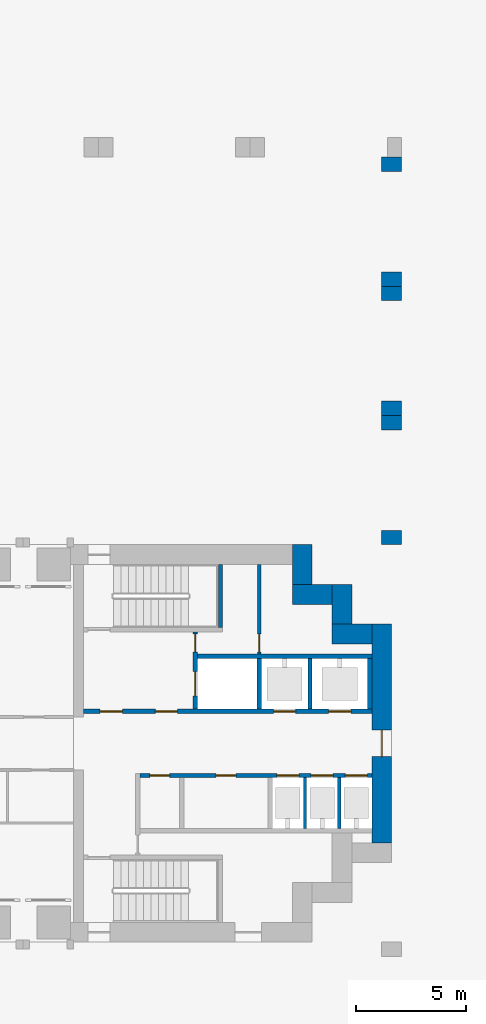
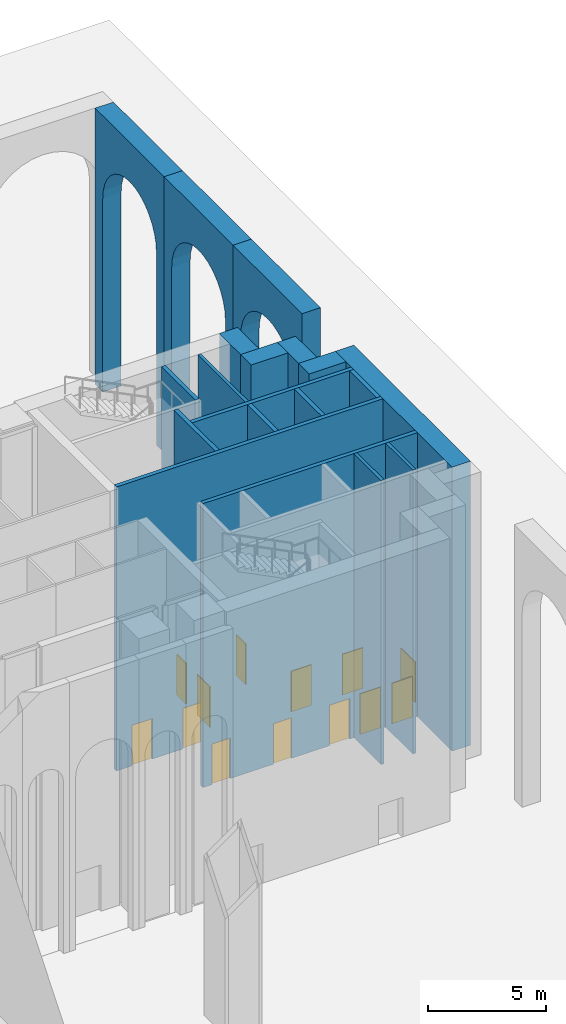
# One storey, part 9 of 18: 19 walls, 13 doors, 13 openings.
"""IFC4 building model written with IfcOpenShell, lengths in metres."""

from ifc_helpers import new_model, si_unit, direction, frame, frame_2d, origin, place, context, subcontext, project, spatial, polyline, rectangle, outline, extrude, material, layer, layer_set, type_object, element, fill, save


model = new_model("IFC4")

# Units and contexts
model_context = context("Model", 3, precision=1e-05, world=origin(), true_north=direction((0.0, 1.0)))
body_context = subcontext(model_context, "Body", "Model", "MODEL_VIEW")
ifc_project = project(units=[si_unit("LENGTHUNIT", "METRE"), si_unit("AREAUNIT", "SQUARE_METRE"), si_unit("VOLUMEUNIT", "CUBIC_METRE"), si_unit("PLANEANGLEUNIT", "RADIAN"), si_unit("MASSUNIT", "GRAM", prefix="KILO")], contexts=[model_context])

# Site, building, storey
site_placement = place(None, origin())
site = spatial("IfcSite", under=ifc_project, at=site_placement, CompositionType="ELEMENT")
building_placement = place(site_placement, origin())
building = spatial("IfcBuilding", under=site, at=building_placement, Name="Perihelion Cross Residences", CompositionType="ELEMENT")
storey_placement = place(building_placement, origin())
storey = spatial("IfcBuildingStorey", under=building, at=storey_placement, Name="L00", CompositionType="ELEMENT", Elevation=0.0)

# Wall, opening, door
ifc_material_1 = material(Name="Concrete C60/75", Category="concrete")
ifc_layer_1 = layer(ifc_material_1, 0.89990234375)
ifc_layer_set_1 = layer_set([ifc_layer_1], Name="Core wall, outer 900")
wall_type_1 = type_object("IfcWallType", Name="Core wall, outer 900", PredefinedType="SHEAR", material=ifc_layer_set_1)
wall_1_placement = place(storey_placement, frame((35.550048828125, -4.5, 0.0), z_axis=(0.0, 0.0, 1.0), x_axis=(0.0, 1.0, 0.0)))
wall_1 = element("IfcWall", 1, at=wall_1_placement, inside=storey, type_object=wall_type_1, Name="East core core wall, outer", PredefinedType="SHEAR", context=body_context, shape_type="SweptSolid", body=[
    extrude(rectangle(XDim=9.89990234375, YDim=0.89990234375, at=frame_2d((4.949951171875, 0.0))), origin(), (0.0, 0.0, 1.0), 14.699951171875),
])
opening_1_placement = place(wall_1_placement, frame((3.89990234375, 0.0, 0.0)))
opening_1 = element("IfcOpeningElement", 2, at=opening_1_placement, cuts=wall_1, Name="Opening L00.C19", PredefinedType="OPENING", context=body_context, shape_type="SweptSolid", body=[
    extrude(rectangle(XDim=1.199951171875, YDim=2.10009765625, at=frame_2d((0.60009765625, 1.050048828125))), frame((0.0, 0.4599609375, 0.0), z_axis=(0.0, -1.0, 0.0), x_axis=(1.0, 0.0, 0.0)), (0.0, 0.0, 1.0), 0.919921875),
])
ifc_material_2 = material(Name="Steel, powder coated", Category="steel")
door_type_1 = type_object("IfcDoorType", Name="Fire command room door 1200", OperationType="DOUBLE_DOOR_SINGLE_SWING", PredefinedType="DOOR", material=ifc_material_2)
door_1_placement = place(opening_1_placement, origin())
door_1 = element("IfcDoor", 3, at=door_1_placement, inside=storey, type_object=door_type_1, Name="East core loading bay door", OperationType="DOUBLE_DOOR_SINGLE_SWING", OverallHeight=2.10009765625, OverallWidth=1.199951171875, PredefinedType="DOOR", context=body_context, shape_type="SweptSolid", body=[
    extrude(rectangle(XDim=1.199951171875, YDim=2.10009765625, at=frame_2d((0.60009765625, 1.050048828125))), frame((0.0, 0.02490234375, 0.0), z_axis=(0.0, -1.0, 0.0), x_axis=(1.0, 0.0, 0.0)), (0.0, 0.0, 1.0), 0.050048828125),
])
fill(opening_1, door_1)

# Walls
for number, where, z_axis, x_axis, name in (
    (4, (33.300048828125, 4.949951171875, 0.0), (0.0, 0.0, 1.0), (1.0, 0.0, 0.0), "East core core wall, outer"),
    (5, (33.75, 5.39990234375, 0.0), (0.0, 0.0, 1.0), (0.0, 1.0, 0.0), "East core core wall, outer"),
    (6, (31.5, 6.75, 0.0), (0.0, 0.0, 1.0), (1.0, 0.0, 0.0), "East core core wall, outer"),
    (7, (31.949951171875, 7.199951171875, 0.0), (0.0, 0.0, 1.0), (0.0, 1.0, 0.0), "East core core wall, outer"),
):
    element("IfcWall", number, at=place(storey_placement, frame(where, z_axis=z_axis, x_axis=x_axis)), inside=storey, type_object=wall_type_1, Name=name, PredefinedType="SHEAR", context=body_context, shape_type="SweptSolid", body=[
        extrude(rectangle(XDim=1.800048828125, YDim=0.89990234375, at=frame_2d((0.89990234375, 0.0))), origin(), (0.0, 0.0, 1.0), 14.699951171875),
    ])
ifc_material_3 = material(Name="Concrete C50/60", Category="concrete")
ifc_layer_2 = layer(ifc_material_3, 0.89990234375)
ifc_layer_set_2 = layer_set([ifc_layer_2], Name="Loggia arcade wall 900, arched bay")
wall_type_2 = type_object("IfcWallType", Name="Loggia arcade wall 900, arched bay", PredefinedType="SOLIDWALL", material=ifc_layer_set_2)
for number, where, z_axis, x_axis, name in (
    (8, (35.550048828125, 9.0, 0.0), (1.0, 0.0, 0.0), (0.0, 1.0, 0.0), "Wall AR3 L00 loggia north-east east-west bay 1"),
    (9, (35.550048828125, 14.85009765625, 0.0), (1.0, 0.0, 0.0), (0.0, 1.0, 0.0), "Wall AR3 L00 loggia north-east east-west bay 2"),
    (10, (35.550048828125, 20.699951171875, 0.0), (1.0, 0.0, 0.0), (0.0, 1.0, 0.0), "Wall AR3 L00 loggia north-east east-west bay 3"),
):
    element("IfcWall", number, at=place(storey_placement, frame(where, z_axis=z_axis, x_axis=x_axis)), inside=storey, type_object=wall_type_2, Name=name, PredefinedType="SOLIDWALL", context=body_context, shape_type="SweptSolid", body=[
        extrude(outline(polyline([(0.0, 0.0), (0.64990234375, 0.0), (0.64990234375, 10.0), (0.693603515625, 10.44384765625), (0.8232421875, 10.87060546875), (1.033447265625, 11.263916015625), (1.31640625, 11.608642578125), (1.6611328125, 11.8916015625), (2.054443359375, 12.101806640625), (2.481201171875, 12.231201171875), (2.925048828125, 12.27490234375), (3.368896484375, 12.231201171875), (3.795654296875, 12.101806640625), (4.18896484375, 11.8916015625), (4.53369140625, 11.608642578125), (4.816650390625, 11.263916015625), (5.02685546875, 10.87060546875), (5.15625, 10.44384765625), (5.199951171875, 10.0), (5.199951171875, 0.0), (5.85009765625, 0.0), (5.85009765625, 14.300048828125), (0.0, 14.300048828125), (0.0, 0.0)])), origin(), (0.0, 0.0, 1.0), 0.89990234375),
    ])

# Wall, opening, door
ifc_material_4 = material(Name="Fire-rated board on steel stud", Category="steel")
ifc_layer_3 = layer(ifc_material_4, 0.14990234375)
ifc_layer_set_3 = layer_set([ifc_layer_3], Name="Riser wall 150")
wall_type_3 = type_object("IfcWallType", Name="Riser wall 150", PredefinedType="PARTITIONING", material=ifc_layer_set_3)
wall_2_placement = place(storey_placement, frame((30.0, 4.050048828125, 0.0), z_axis=(0.0, 0.0, 1.0), x_axis=(0.0, 1.0, 0.0)))
wall_2 = element("IfcWall", 11, at=wall_2_placement, inside=storey, type_object=wall_type_3, Name="East core riser wall", PredefinedType="PARTITIONING", context=body_context, shape_type="SweptSolid", body=[
    extrude(rectangle(XDim=4.050048828125, YDim=0.14990234375, at=frame_2d((2.02490234375, 0.0))), origin(), (0.0, 0.0, 1.0), 14.699951171875),
])
opening_2_placement = place(wall_2_placement, frame((0.10009765625, 0.0, 0.0)))
opening_2 = element("IfcOpeningElement", 12, at=opening_2_placement, cuts=wall_2, Name="Opening L00.C18", PredefinedType="OPENING", context=body_context, shape_type="SweptSolid", body=[
    extrude(rectangle(XDim=0.800048828125, YDim=2.10009765625, at=frame_2d((0.39990234375, 1.050048828125))), frame((0.0, 0.0849609375, 0.0), z_axis=(0.0, -1.0, 0.0), x_axis=(1.0, 0.0, 0.0)), (0.0, 0.0, 1.0), 0.169921875),
])
ifc_material_5 = material(Name="Steel, powder coated", Category="steel")
door_type_2 = type_object("IfcDoorType", Name="Riser door 800", OperationType="SINGLE_SWING_LEFT", PredefinedType="DOOR", material=ifc_material_5)
door_2_placement = place(opening_2_placement, origin())
door_2 = element("IfcDoor", 13, at=door_2_placement, inside=storey, type_object=door_type_2, Name="East core riser door", OperationType="SINGLE_SWING_LEFT", OverallHeight=2.10009765625, OverallWidth=0.800048828125, PredefinedType="DOOR", context=body_context, shape_type="SweptSolid", body=[
    extrude(rectangle(XDim=0.800048828125, YDim=2.10009765625, at=frame_2d((0.39990234375, 1.050048828125))), frame((0.0, 0.02490234375, 0.0), z_axis=(0.0, -1.0, 0.0), x_axis=(1.0, 0.0, 0.0)), (0.0, 0.0, 1.0), 0.050048828125),
])
fill(opening_2, door_2)

# Walls
ifc_material_6 = material(Name="Concrete C50/60", Category="concrete")
ifc_layer_4 = layer(ifc_material_6, 0.14990234375)
ifc_layer_set_4 = layer_set([ifc_layer_4], Name="Shaft wall 150")
wall_type_4 = type_object("IfcWallType", Name="Shaft wall 150", PredefinedType="SOLIDWALL", material=ifc_layer_set_4)
for number, where, z_axis, x_axis, name in (
    (14, (32.074951171875, -3.85009765625, 0.0), (0.0, 0.0, 1.0), (0.0, 1.0, 0.0), "East core shaft wall"),
    (15, (33.625, -3.85009765625, 0.0), (0.0, 0.0, 1.0), (0.0, 1.0, 0.0), "East core shaft wall"),
):
    element("IfcWall", number, at=place(storey_placement, frame(where, z_axis=z_axis, x_axis=x_axis)), inside=storey, type_object=wall_type_4, Name=name, PredefinedType="SOLIDWALL", context=body_context, shape_type="SweptSolid", body=[
        extrude(rectangle(XDim=2.300048828125, YDim=0.14990234375, at=frame_2d((1.14990234375, 0.0))), origin(), (0.0, 0.0, 1.0), 14.699951171875),
    ])

# Wall, openings, doors
ifc_material_7 = material(Name="Concrete C50/60", Category="concrete")
ifc_layer_5 = layer(ifc_material_7, 0.199951171875)
ifc_layer_set_5 = layer_set([ifc_layer_5], Name="Shaft wall 200")
wall_type_5 = type_object("IfcWallType", Name="Shaft wall 200", PredefinedType="SOLIDWALL", material=ifc_layer_set_5)
wall_3_placement = place(storey_placement, frame((22.050048828125, 1.449951171875, 0.0), z_axis=(0.0, 0.0, 1.0), x_axis=(1.0, 0.0, 0.0)))
wall_3 = element("IfcWall", 16, at=wall_3_placement, inside=storey, type_object=wall_type_5, Name="East core shaft wall", PredefinedType="SOLIDWALL", context=body_context, shape_type="SweptSolid", body=[
    extrude(rectangle(XDim=13.050048828125, YDim=0.199951171875, at=frame_2d((6.52490234375, 0.0))), origin(), (0.0, 0.0, 1.0), 14.699951171875),
])
opening_3_placement = place(wall_3_placement, frame((8.60009765625, 0.0, 0.0)))
opening_3 = element("IfcOpeningElement", 17, at=opening_3_placement, cuts=wall_3, Name="Opening L00.C02", PredefinedType="OPENING", context=body_context, shape_type="SweptSolid", body=[
    extrude(rectangle(XDim=1.0, YDim=2.10009765625, at=frame_2d((0.5, 1.050048828125))), frame((0.0, 0.10986328125, 0.0), z_axis=(0.0, -1.0, 0.0), x_axis=(1.0, 0.0, 0.0)), (0.0, 0.0, 1.0), 0.219970703125),
])
opening_4_placement = place(wall_3_placement, frame((11.10009765625, 0.0, 0.0)))
opening_4 = element("IfcOpeningElement", 18, at=opening_4_placement, cuts=wall_3, Name="Opening L00.C05", PredefinedType="OPENING", context=body_context, shape_type="SweptSolid", body=[
    extrude(rectangle(XDim=1.0, YDim=2.10009765625, at=frame_2d((0.5, 1.050048828125))), frame((0.0, 0.10986328125, 0.0), z_axis=(0.0, -1.0, 0.0), x_axis=(1.0, 0.0, 0.0)), (0.0, 0.0, 1.0), 0.219970703125),
])
opening_5_placement = place(wall_3_placement, frame((0.75, 0.0, 0.0)))
opening_5 = element("IfcOpeningElement", 19, at=opening_5_placement, cuts=wall_3, Name="Opening L00.C11", PredefinedType="OPENING", context=body_context, shape_type="SweptSolid", body=[
    extrude(rectangle(XDim=1.0, YDim=2.10009765625, at=frame_2d((0.5, 1.050048828125))), frame((0.0, 0.10986328125, 0.0), z_axis=(0.0, -1.0, 0.0), x_axis=(1.0, 0.0, 0.0)), (0.0, 0.0, 1.0), 0.219970703125),
])
opening_6_placement = place(wall_3_placement, frame((3.25, 0.0, 0.0)))
opening_6 = element("IfcOpeningElement", 20, at=opening_6_placement, cuts=wall_3, Name="Opening L00.C14", PredefinedType="OPENING", context=body_context, shape_type="SweptSolid", body=[
    extrude(rectangle(XDim=1.0, YDim=2.10009765625, at=frame_2d((0.5, 1.050048828125))), frame((0.0, 0.10986328125, 0.0), z_axis=(0.0, -1.0, 0.0), x_axis=(1.0, 0.0, 0.0)), (0.0, 0.0, 1.0), 0.219970703125),
])
ifc_material_8 = material(Name="Stainless steel", Category="steel")
door_type_3 = type_object("IfcDoorType", Name="Landing door 1000", OperationType="DOUBLE_DOOR_SLIDING", PredefinedType="DOOR", material=ifc_material_8)
door_3_placement = place(opening_3_placement, origin())
door_3 = element("IfcDoor", 21, at=door_3_placement, inside=storey, type_object=door_type_3, Name="Landing door, East core shuttle lift 1", OperationType="DOUBLE_DOOR_SLIDING", OverallHeight=2.10009765625, OverallWidth=1.0, PredefinedType="DOOR", context=body_context, shape_type="SweptSolid", body=[
    extrude(rectangle(XDim=1.0, YDim=2.10009765625, at=frame_2d((0.5, 1.050048828125))), frame((0.0, 0.02490234375, 0.0), z_axis=(0.0, -1.0, 0.0), x_axis=(1.0, 0.0, 0.0)), (0.0, 0.0, 1.0), 0.050048828125),
])
fill(opening_3, door_3)
door_4_placement = place(opening_4_placement, origin())
door_4 = element("IfcDoor", 22, at=door_4_placement, inside=storey, type_object=door_type_3, Name="Landing door, East core shuttle lift 2", OperationType="DOUBLE_DOOR_SLIDING", OverallHeight=2.10009765625, OverallWidth=1.0, PredefinedType="DOOR", context=body_context, shape_type="SweptSolid", body=[
    extrude(rectangle(XDim=1.0, YDim=2.10009765625, at=frame_2d((0.5, 1.050048828125))), frame((0.0, 0.02490234375, 0.0), z_axis=(0.0, -1.0, 0.0), x_axis=(1.0, 0.0, 0.0)), (0.0, 0.0, 1.0), 0.050048828125),
])
fill(opening_4, door_4)
ifc_material_9 = material(Name="Steel, powder coated", Category="steel")
door_type_4 = type_object("IfcDoorType", Name="Lobby door 1000", OperationType="SINGLE_SWING_LEFT", PredefinedType="DOOR", material=ifc_material_9)
door_5_placement = place(opening_5_placement, origin())
door_5 = element("IfcDoor", 23, at=door_5_placement, inside=storey, type_object=door_type_4, Name="East core firefighting lobby door", OperationType="SINGLE_SWING_LEFT", OverallHeight=2.10009765625, OverallWidth=1.0, PredefinedType="DOOR", context=body_context, shape_type="SweptSolid", body=[
    extrude(rectangle(XDim=1.0, YDim=2.10009765625, at=frame_2d((0.5, 1.050048828125))), frame((0.0, 0.02490234375, 0.0), z_axis=(0.0, -1.0, 0.0), x_axis=(1.0, 0.0, 0.0)), (0.0, 0.0, 1.0), 0.050048828125),
])
fill(opening_5, door_5)
door_6_placement = place(opening_6_placement, origin())
door_6 = element("IfcDoor", 24, at=door_6_placement, inside=storey, type_object=door_type_4, Name="East core firefighting lobby door", OperationType="SINGLE_SWING_LEFT", OverallHeight=2.10009765625, OverallWidth=1.0, PredefinedType="DOOR", context=body_context, shape_type="SweptSolid", body=[
    extrude(rectangle(XDim=1.0, YDim=2.10009765625, at=frame_2d((0.5, 1.050048828125))), frame((0.0, 0.02490234375, 0.0), z_axis=(0.0, -1.0, 0.0), x_axis=(1.0, 0.0, 0.0)), (0.0, 0.0, 1.0), 0.050048828125),
])
fill(opening_6, door_6)

wall_4_placement = place(storey_placement, frame((24.60009765625, -1.449951171875, 0.0), z_axis=(0.0, 0.0, 1.0), x_axis=(1.0, 0.0, 0.0)))
wall_4 = element("IfcWall", 25, at=wall_4_placement, inside=storey, type_object=wall_type_5, Name="East core shaft wall", PredefinedType="SOLIDWALL", context=body_context, shape_type="SweptSolid", body=[
    extrude(rectangle(XDim=10.5, YDim=0.199951171875, at=frame_2d((5.25, 0.0))), origin(), (0.0, 0.0, 1.0), 14.699951171875),
])
opening_7_placement = place(wall_4_placement, frame((6.199951171875, 0.0, 0.0)))
opening_7 = element("IfcOpeningElement", 26, at=opening_7_placement, cuts=wall_4, Name="Opening L00.C03", PredefinedType="OPENING", context=body_context, shape_type="SweptSolid", body=[
    extrude(rectangle(XDim=1.0, YDim=2.10009765625, at=frame_2d((0.5, 1.050048828125))), frame((0.0, 0.10986328125, 0.0), z_axis=(0.0, -1.0, 0.0), x_axis=(1.0, 0.0, 0.0)), (0.0, 0.0, 1.0), 0.219970703125),
])
opening_8_placement = place(wall_4_placement, frame((7.75, 0.0, 0.0)))
opening_8 = element("IfcOpeningElement", 27, at=opening_8_placement, cuts=wall_4, Name="Opening L00.C04", PredefinedType="OPENING", context=body_context, shape_type="SweptSolid", body=[
    extrude(rectangle(XDim=1.0, YDim=2.10009765625, at=frame_2d((0.5, 1.050048828125))), frame((0.0, 0.10986328125, 0.0), z_axis=(0.0, -1.0, 0.0), x_axis=(1.0, 0.0, 0.0)), (0.0, 0.0, 1.0), 0.219970703125),
])
opening_9_placement = place(wall_4_placement, frame((9.300048828125, 0.0, 0.0)))
opening_9 = element("IfcOpeningElement", 28, at=opening_9_placement, cuts=wall_4, Name="Opening L00.C06", PredefinedType="OPENING", context=body_context, shape_type="SweptSolid", body=[
    extrude(rectangle(XDim=1.0, YDim=2.10009765625, at=frame_2d((0.5, 1.050048828125))), frame((0.0, 0.10986328125, 0.0), z_axis=(0.0, -1.0, 0.0), x_axis=(1.0, 0.0, 0.0)), (0.0, 0.0, 1.0), 0.219970703125),
])
opening_10_placement = place(wall_4_placement, frame((0.449951171875, 0.0, 0.0)))
opening_10 = element("IfcOpeningElement", 29, at=opening_10_placement, cuts=wall_4, Name="Opening L00.C13", PredefinedType="OPENING", context=body_context, shape_type="SweptSolid", body=[
    extrude(rectangle(XDim=0.89990234375, YDim=2.10009765625, at=frame_2d((0.449951171875, 1.050048828125))), frame((0.0, 0.10986328125, 0.0), z_axis=(0.0, -1.0, 0.0), x_axis=(1.0, 0.0, 0.0)), (0.0, 0.0, 1.0), 0.219970703125),
])
opening_11_placement = place(wall_4_placement, frame((3.449951171875, 0.0, 0.0)))
opening_11 = element("IfcOpeningElement", 30, at=opening_11_placement, cuts=wall_4, Name="Opening L00.C16", PredefinedType="OPENING", context=body_context, shape_type="SweptSolid", body=[
    extrude(rectangle(XDim=0.89990234375, YDim=2.10009765625, at=frame_2d((0.449951171875, 1.050048828125))), frame((0.0, 0.10986328125, 0.0), z_axis=(0.0, -1.0, 0.0), x_axis=(1.0, 0.0, 0.0)), (0.0, 0.0, 1.0), 0.219970703125),
])
door_7_placement = place(opening_7_placement, origin())
door_7 = element("IfcDoor", 31, at=door_7_placement, inside=storey, type_object=door_type_3, Name="Landing door, East core low-rise lift 1", OperationType="DOUBLE_DOOR_SLIDING", OverallHeight=2.10009765625, OverallWidth=1.0, PredefinedType="DOOR", context=body_context, shape_type="SweptSolid", body=[
    extrude(rectangle(XDim=1.0, YDim=2.10009765625, at=frame_2d((0.5, 1.050048828125))), frame((0.0, 0.02490234375, 0.0), z_axis=(0.0, -1.0, 0.0), x_axis=(1.0, 0.0, 0.0)), (0.0, 0.0, 1.0), 0.050048828125),
])
fill(opening_7, door_7)
door_8_placement = place(opening_8_placement, origin())
door_8 = element("IfcDoor", 32, at=door_8_placement, inside=storey, type_object=door_type_3, Name="Landing door, East core low-rise lift 2", OperationType="DOUBLE_DOOR_SLIDING", OverallHeight=2.10009765625, OverallWidth=1.0, PredefinedType="DOOR", context=body_context, shape_type="SweptSolid", body=[
    extrude(rectangle(XDim=1.0, YDim=2.10009765625, at=frame_2d((0.5, 1.050048828125))), frame((0.0, 0.02490234375, 0.0), z_axis=(0.0, -1.0, 0.0), x_axis=(1.0, 0.0, 0.0)), (0.0, 0.0, 1.0), 0.050048828125),
])
fill(opening_8, door_8)
door_9_placement = place(opening_9_placement, origin())
door_9 = element("IfcDoor", 33, at=door_9_placement, inside=storey, type_object=door_type_3, Name="Landing door, East core low-rise lift 3", OperationType="DOUBLE_DOOR_SLIDING", OverallHeight=2.10009765625, OverallWidth=1.0, PredefinedType="DOOR", context=body_context, shape_type="SweptSolid", body=[
    extrude(rectangle(XDim=1.0, YDim=2.10009765625, at=frame_2d((0.5, 1.050048828125))), frame((0.0, 0.02490234375, 0.0), z_axis=(0.0, -1.0, 0.0), x_axis=(1.0, 0.0, 0.0)), (0.0, 0.0, 1.0), 0.050048828125),
])
fill(opening_9, door_9)
ifc_material_10 = material(Name="Steel, powder coated", Category="steel")
door_type_5 = type_object("IfcDoorType", Name="Service room door 900", OperationType="SINGLE_SWING_LEFT", PredefinedType="DOOR", material=ifc_material_10)
door_10_placement = place(opening_10_placement, origin())
door_10 = element("IfcDoor", 34, at=door_10_placement, inside=storey, type_object=door_type_5, Name="East core service room door", OperationType="SINGLE_SWING_LEFT", OverallHeight=2.10009765625, OverallWidth=0.89990234375, PredefinedType="DOOR", context=body_context, shape_type="SweptSolid", body=[
    extrude(rectangle(XDim=0.89990234375, YDim=2.10009765625, at=frame_2d((0.449951171875, 1.050048828125))), frame((0.0, 0.02490234375, 0.0), z_axis=(0.0, -1.0, 0.0), x_axis=(1.0, 0.0, 0.0)), (0.0, 0.0, 1.0), 0.050048828125),
])
fill(opening_10, door_10)
door_11_placement = place(opening_11_placement, origin())
door_11 = element("IfcDoor", 35, at=door_11_placement, inside=storey, type_object=door_type_5, Name="East core service room door", OperationType="SINGLE_SWING_LEFT", OverallHeight=2.10009765625, OverallWidth=0.89990234375, PredefinedType="DOOR", context=body_context, shape_type="SweptSolid", body=[
    extrude(rectangle(XDim=0.89990234375, YDim=2.10009765625, at=frame_2d((0.449951171875, 1.050048828125))), frame((0.0, 0.02490234375, 0.0), z_axis=(0.0, -1.0, 0.0), x_axis=(1.0, 0.0, 0.0)), (0.0, 0.0, 1.0), 0.050048828125),
])
fill(opening_11, door_11)

# Wall
wall_5_placement = place(storey_placement, frame((27.199951171875, 3.949951171875, 0.0), z_axis=(0.0, 0.0, 1.0), x_axis=(1.0, 0.0, 0.0)))
element("IfcWall", 36, at=wall_5_placement, inside=storey, type_object=wall_type_5, Name="East core shaft wall", PredefinedType="SOLIDWALL", context=body_context, shape_type="SweptSolid", body=[
    extrude(rectangle(XDim=7.900146484375, YDim=0.199951171875, at=frame_2d((3.9501953125, 0.0))), origin(), (0.0, 0.0, 1.0), 14.699951171875),
])

# Wall, openings, doors
wall_6_placement = place(storey_placement, frame((27.10009765625, 1.550048828125, 0.0), z_axis=(0.0, 0.0, 1.0), x_axis=(0.0, 1.0, 0.0)))
wall_6 = element("IfcWall", 37, at=wall_6_placement, inside=storey, type_object=wall_type_5, Name="East core shaft wall", PredefinedType="SOLIDWALL", context=body_context, shape_type="SweptSolid", body=[
    extrude(rectangle(XDim=3.5, YDim=0.199951171875, at=frame_2d((1.75, 0.0))), origin(), (0.0, 0.0, 1.0), 14.699951171875),
])
opening_12_placement = place(wall_6_placement, frame((0.60009765625, 0.0, 0.0)))
opening_12 = element("IfcOpeningElement", 38, at=opening_12_placement, cuts=wall_6, Name="Opening L00.C01", PredefinedType="OPENING", context=body_context, shape_type="SweptSolid", body=[
    extrude(rectangle(XDim=1.10009765625, YDim=2.10009765625, at=frame_2d((0.550048828125, 1.050048828125))), frame((0.0, 0.10986328125, 0.0), z_axis=(0.0, -1.0, 0.0), x_axis=(1.0, 0.0, 0.0)), (0.0, 0.0, 1.0), 0.219970703125),
])
opening_13_placement = place(wall_6_placement, frame((2.60009765625, 0.0, 0.0)))
opening_13 = element("IfcOpeningElement", 39, at=opening_13_placement, cuts=wall_6, Name="Opening L00.C15", PredefinedType="OPENING", context=body_context, shape_type="SweptSolid", body=[
    extrude(rectangle(XDim=0.800048828125, YDim=2.10009765625, at=frame_2d((0.39990234375, 1.050048828125))), frame((0.0, 0.10986328125, 0.0), z_axis=(0.0, -1.0, 0.0), x_axis=(1.0, 0.0, 0.0)), (0.0, 0.0, 1.0), 0.219970703125),
])
ifc_material_11 = material(Name="Stainless steel", Category="steel")
door_type_6 = type_object("IfcDoorType", Name="Landing door, firefighting lift 1100", OperationType="DOUBLE_DOOR_SLIDING", PredefinedType="DOOR", material=ifc_material_11)
door_12_placement = place(opening_12_placement, origin())
door_12 = element("IfcDoor", 40, at=door_12_placement, inside=storey, type_object=door_type_6, Name="Landing door, East core firefighting and service lift", OperationType="DOUBLE_DOOR_SLIDING", OverallHeight=2.10009765625, OverallWidth=1.10009765625, PredefinedType="DOOR", context=body_context, shape_type="SweptSolid", body=[
    extrude(rectangle(XDim=1.10009765625, YDim=2.10009765625, at=frame_2d((0.550048828125, 1.050048828125))), frame((0.0, 0.02490234375, 0.0), z_axis=(0.0, -1.0, 0.0), x_axis=(1.0, 0.0, 0.0)), (0.0, 0.0, 1.0), 0.050048828125),
])
fill(opening_12, door_12)
door_13_placement = place(opening_13_placement, origin())
door_13 = element("IfcDoor", 41, at=door_13_placement, inside=storey, type_object=door_type_2, Name="East core riser door", OperationType="SINGLE_SWING_LEFT", OverallHeight=2.10009765625, OverallWidth=0.800048828125, PredefinedType="DOOR", context=body_context, shape_type="SweptSolid", body=[
    extrude(rectangle(XDim=0.800048828125, YDim=2.10009765625, at=frame_2d((0.39990234375, 1.050048828125))), frame((0.0, 0.02490234375, 0.0), z_axis=(0.0, -1.0, 0.0), x_axis=(1.0, 0.0, 0.0)), (0.0, 0.0, 1.0), 0.050048828125),
])
fill(opening_13, door_13)

# Walls
for number, where, z_axis, x_axis, name in (
    (42, (30.0, 1.550048828125, 0.0), (0.0, 0.0, 1.0), (0.0, 1.0, 0.0), "East core shaft wall"),
    (43, (32.300048828125, 1.550048828125, 0.0), (0.0, 0.0, 1.0), (0.0, 1.0, 0.0), "East core shaft wall"),
    (44, (35.0, 1.550048828125, 0.0), (0.0, 0.0, 1.0), (0.0, 1.0, 0.0), "East core shaft wall"),
):
    element("IfcWall", number, at=place(storey_placement, frame(where, z_axis=z_axis, x_axis=x_axis)), inside=storey, type_object=wall_type_5, Name=name, PredefinedType="SOLIDWALL", context=body_context, shape_type="SweptSolid", body=[
        extrude(rectangle(XDim=2.300048828125, YDim=0.199951171875, at=frame_2d((1.14990234375, 0.0))), origin(), (0.0, 0.0, 1.0), 14.699951171875),
    ])
ifc_material_12 = material(Name="Concrete C50/60", Category="concrete")
ifc_layer_6 = layer(ifc_material_12, 0.199951171875)
ifc_layer_set_6 = layer_set([ifc_layer_6], Name="Stair wall 200")
wall_type_6 = type_object("IfcWallType", Name="Stair wall 200", PredefinedType="SOLIDWALL", material=ifc_layer_set_6)
wall_7_placement = place(storey_placement, frame((28.25, 5.25, 0.0), z_axis=(0.0, 0.0, 1.0), x_axis=(0.0, 1.0, 0.0)))
element("IfcWall", 45, at=wall_7_placement, inside=storey, type_object=wall_type_6, Name="East core stair wall", PredefinedType="SOLIDWALL", context=body_context, shape_type="SweptSolid", body=[
    extrude(rectangle(XDim=2.85009765625, YDim=0.199951171875, at=frame_2d((1.425048828125, 0.0))), origin(), (0.0, 0.0, 1.0), 14.699951171875),
])

save(model, "model.ifc")
